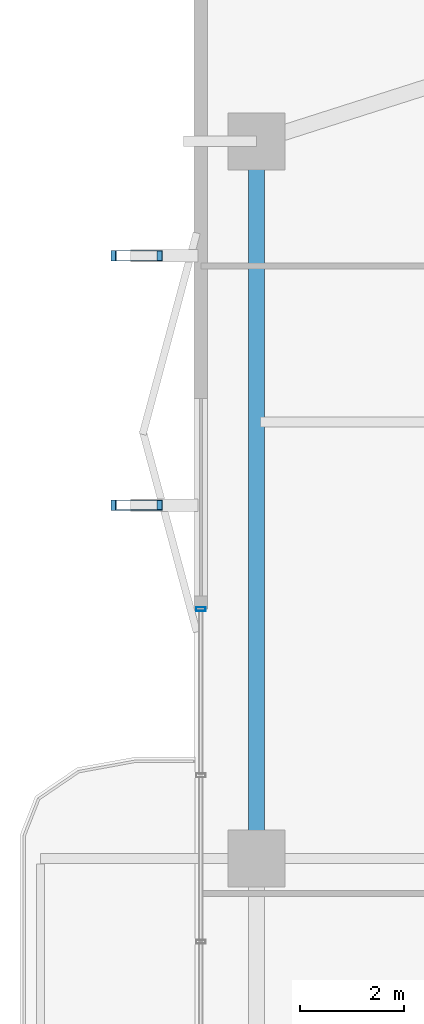
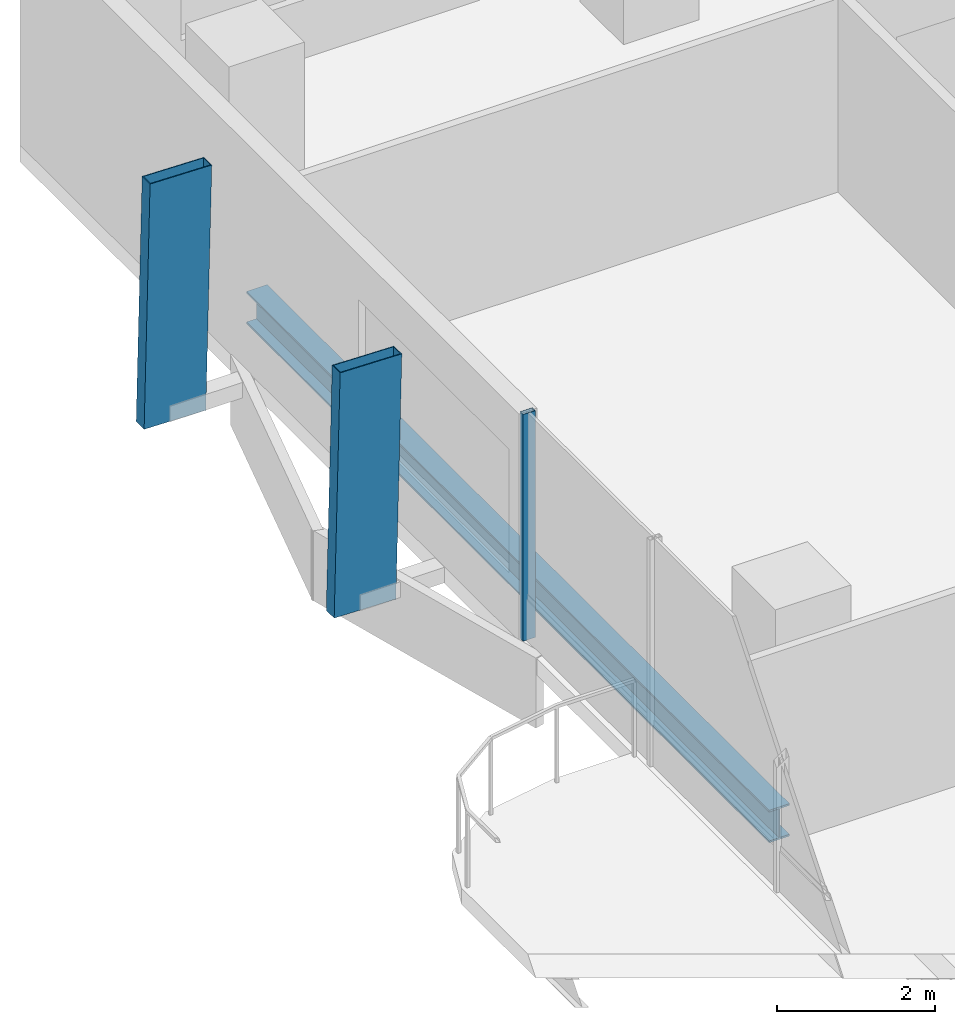
# One storey, part 11 of 25: 3 members, 1 beam, 1 element without a shape of its own.
"""IFC4 building model written with IfcOpenShell, lengths in metres."""

from ifc_helpers import new_model, si_unit, direction, frame, origin, origin_2d, place, context, subcontext, project, spatial, hollow_rectangle, i_section, extrude, material, layer, layer_set, material_profile, profile_set, type_object, element, aggregate, save


model = new_model("IFC4")

# Units and contexts
model_context = context("Model", 3, precision=1e-05, world=origin(), true_north=direction((0.0, 1.0)))
body_context = subcontext(model_context, "Body", "Model", "MODEL_VIEW")
ifc_project = project(units=[si_unit("LENGTHUNIT", "METRE"), si_unit("AREAUNIT", "SQUARE_METRE"), si_unit("VOLUMEUNIT", "CUBIC_METRE"), si_unit("PLANEANGLEUNIT", "RADIAN"), si_unit("MASSUNIT", "GRAM", prefix="KILO")], contexts=[model_context])

# Site, building, storey
site_placement = place(None, origin())
site = spatial("IfcSite", under=ifc_project, at=site_placement, CompositionType="ELEMENT")
building_placement = place(site_placement, origin())
building = spatial("IfcBuilding", under=site, at=building_placement, Name="Belovzor Exchange Tower", CompositionType="ELEMENT")
storey_placement = place(building_placement, frame((0.0, 0.0, 164.550048828125)))
storey = spatial("IfcBuildingStorey", under=building, at=storey_placement, Name="L40", CompositionType="ELEMENT", Elevation=164.550048828125)

# Members
ifc_material_1 = material(Name="Extruded Architectural Terracotta on Steel S355 Carrier", Category="masonry")
ifc_material_profile_1 = material_profile(ifc_material_1, hollow_rectangle(XDim=0.199951171875, YDim=0.89990234375, WallThickness=0.011962890625, at=origin_2d()))
ifc_profile_set_1 = profile_set([ifc_material_profile_1], Name="Extruded Architectural Terracotta on Steel S355 Carrier")
member_type_1 = type_object("IfcMemberType", Name="Sweeping Terracotta Baguette Fin Assembly 1250", PredefinedType="USERDEFINED", material=ifc_profile_set_1)
for number, where, z_axis, x_axis, name in (
    (1, (3.35302734375, 35.60009765625, -0.255126953125), (0.02317086074, 0.0, 0.999731519565), (0.0, 1.0, 0.0), "FIN-TC125 Terracotta Facade Fin L40 W3"),
    (2, (3.35302734375, 40.39990234375, -0.255126953125), (0.02317086074, 0.0, 0.999731519565), (0.0, 1.0, 0.0), "FIN-TC125 Terracotta Facade Fin L40 W4"),
):
    element("IfcMember", number, at=place(storey_placement, frame(where, z_axis=z_axis, x_axis=x_axis)), inside=storey, type_object=member_type_1, Name=name, ObjectType="FIN", PredefinedType="USERDEFINED", context=body_context, shape_type="SweptSolid", body=[
        extrude(hollow_rectangle(XDim=0.199951171875, YDim=0.89990234375, WallThickness=0.011962890625, at=origin_2d()), origin(), (0.0, 0.0, 1.0), 3.7509765625),
    ])

# Curtain wall, member
ifc_material_2 = material(Name="Anodised Aluminium Framing", Category="aluminium")
ifc_layer = layer(ifc_material_2, 0.179931640625)
ifc_layer_set = layer_set([ifc_layer], Name="Anodised Aluminium Framing")
curtain_wall_type = type_object("IfcCurtainWallType", Name="Recessed Loggia Low-Iron Triple-Glazed Curtain Wall", PredefinedType="NOTDEFINED", material=ifc_layer_set)
curtain_wall_placement = place(storey_placement, origin())
curtain_wall = element("IfcCurtainWall", 3, at=curtain_wall_placement, inside=storey, type_object=curtain_wall_type, Name="CW3 Recessed Loggia Low-Iron Triple-Glazed Curtain Wall L40", PredefinedType="NOTDEFINED")
ifc_material_3 = material(Name="Steel S355", Category="steel")
ifc_material_profile_2 = material_profile(ifc_material_3, hollow_rectangle(XDim=0.074951171875, YDim=0.179931640625, WallThickness=0.0048828125, at=origin_2d()))
ifc_profile_set_2 = profile_set([ifc_material_profile_2], Name="Steel S355")
member_type_2 = type_object("IfcMemberType", Name="Thermally Broken Curtain Wall Mullion 180x75", PredefinedType="MULLION", material=ifc_profile_set_2)
member_placement = place(storey_placement, frame((4.6298828125, 33.60009765625, 0.0), z_axis=(0.0, 0.0, 1.0), x_axis=(0.0, 1.0, 0.0)))
member = element("IfcMember", 4, at=member_placement, type_object=member_type_2, Name="CW-M180 Curtain Wall Mullion 4", PredefinedType="MULLION", context=body_context, shape_type="SweptSolid", body=[
    extrude(hollow_rectangle(XDim=0.074951171875, YDim=0.179931640625, WallThickness=0.0048828125, at=origin_2d()), origin(), (0.0, 0.0, 1.0), 3.494873046875),
])
aggregate(curtain_wall, [member])

# Beam
ifc_material_4 = material(Name="Steel S355", Category="steel")
ifc_material_profile_3 = material_profile(ifc_material_4, i_section(OverallWidth=0.300048828125, OverallDepth=0.5, WebThickness=0.014404296875, FlangeThickness=0.028076171875, at=origin_2d()))
ifc_profile_set_3 = profile_set([ifc_material_profile_3], Name="Steel S355")
beam_type = type_object("IfcBeamType", Name="Zone 3 Waist Primary Girder HEB 500", PredefinedType="BEAM", material=ifc_profile_set_3)
beam_placement = place(storey_placement, frame((5.699951171875, 42.297119140625, -0.505126953125), z_axis=(0.0, -1.0, 0.0), x_axis=(1.0, 0.0, 0.0)))
element("IfcBeam", 5, at=beam_placement, inside=storey, type_object=beam_type, Name="FG-Z3 Zone 3 Waist Primary Girder HEB 500", PredefinedType="BEAM", context=body_context, shape_type="SweptSolid", body=[
    extrude(i_section(OverallWidth=0.300048828125, OverallDepth=0.5, WebThickness=0.014404296875, FlangeThickness=0.028076171875, at=origin_2d()), origin(), (0.0, 0.0, 1.0), 13.195068359375),
])

save(model, "model.ifc")
